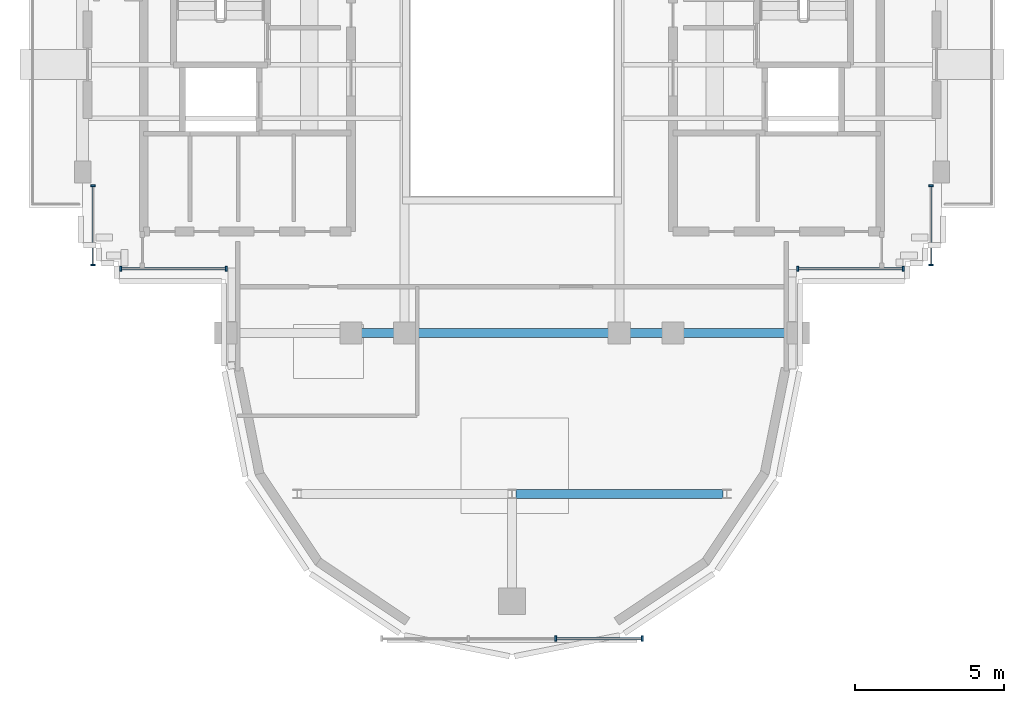
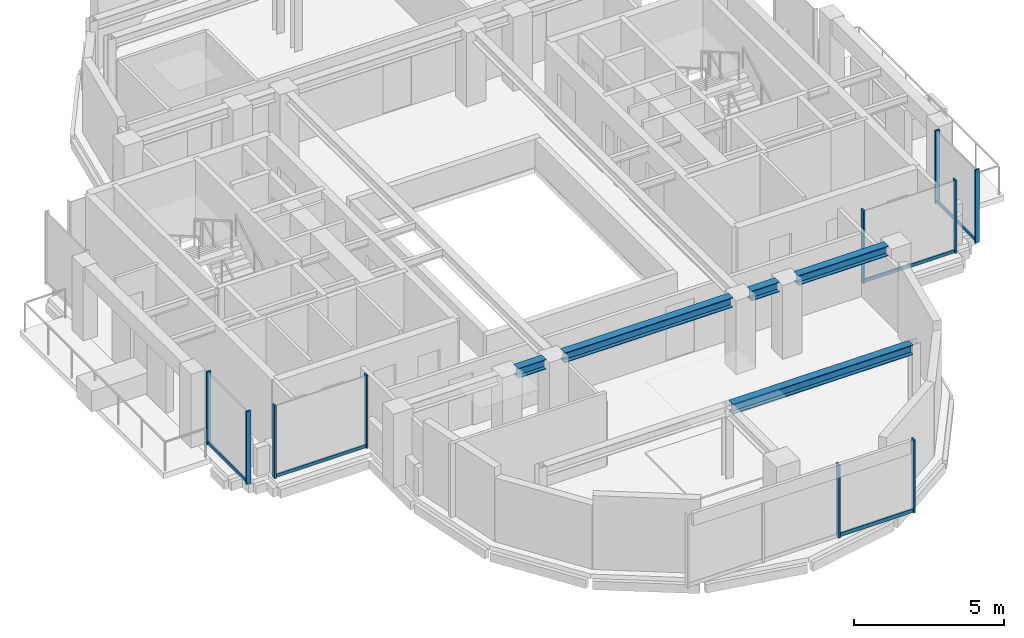
# One storey, part 3 of 12: 15 members, 5 beams, 5 elements without a shape of their own.
"""IFC4 building model written with IfcOpenShell, lengths in metres."""

from ifc_helpers import new_model, si_unit, direction, frame, origin, origin_2d, place, context, subcontext, project, spatial, rectangle, i_section, extrude, source, transform, mapped, material, material_profile, profile_set, type_object, element, aggregate, save


model = new_model("IFC4")

# Units and contexts
model_context = context("Model", 3, precision=1e-05, world=origin(), true_north=direction((0.0, 1.0)))
body_context = subcontext(model_context, "Body", "Model", "MODEL_VIEW")
ifc_project = project(units=[si_unit("LENGTHUNIT", "METRE"), si_unit("AREAUNIT", "SQUARE_METRE"), si_unit("VOLUMEUNIT", "CUBIC_METRE"), si_unit("PLANEANGLEUNIT", "RADIAN"), si_unit("MASSUNIT", "GRAM", prefix="KILO")], contexts=[model_context])

# Site, building, storey
site_placement = place(None, origin())
site = spatial("IfcSite", under=ifc_project, at=site_placement, CompositionType="ELEMENT")
building_placement = place(site_placement, origin())
building = spatial("IfcBuilding", under=site, at=building_placement, Name="Keilestroom Media Tower", CompositionType="ELEMENT")
storey_placement = place(building_placement, frame((0.0, 0.0, 258.800048828125)))
storey = spatial("IfcBuildingStorey", under=building, at=storey_placement, Name="L72", CompositionType="ELEMENT", Elevation=258.800048828125)

# Beams
ifc_material_1 = material(Name="Steel S355", Category="steel")
ifc_material_profile_1 = material_profile(ifc_material_1, i_section(OverallWidth=0.300048828125, OverallDepth=0.39990234375, WebThickness=0.011474609375, FlangeThickness=0.02392578125, at=origin_2d()), Name="HEB 400")
ifc_profile_set_1 = profile_set([ifc_material_profile_1], Name="Steel S355")
beam_type = type_object("IfcBeamType", Name="Primary-Structural-Girder-HEB-400", PredefinedType="BEAM", material=ifc_profile_set_1)
shared_shape_1 = source(origin(), body_context, "Body", "SweptSolid", [
    extrude(i_section(OverallWidth=0.300048828125, OverallDepth=0.39990234375, WebThickness=0.011474609375, FlangeThickness=0.02392578125, at=origin_2d()), origin(), (0.0, 0.0, 1.0), 6.940185546875),
])
beam_1_placement = place(storey_placement, frame((0.1298828125, -14.39990234375, 2.81005859375), z_axis=(1.0, 0.0, 0.0), x_axis=(0.0, 1.0, 0.0)))
element("IfcBeam", 1, at=beam_1_placement, inside=storey, type_object=beam_type, Name="L72 Beam BG-8 BM-L72-EW-002", PredefinedType="BEAM", context=body_context, shape_type="MappedRepresentation", body=[
    mapped(shared_shape_1, transform((0.0, 0.0, 0.0), x_axis=(1.0, 0.0, 0.0), y_axis=(0.0, 1.0, 0.0), z_axis=(0.0, 0.0, 1.0), scale=1.0)),
])
shared_shape_2 = source(origin(), body_context, "Body", "SweptSolid", [
    extrude(i_section(OverallWidth=0.300048828125, OverallDepth=0.39990234375, WebThickness=0.011474609375, FlangeThickness=0.02392578125, at=origin_2d()), origin(), (0.0, 0.0, 1.0), 3.490234375),
])
beam_2_placement = place(storey_placement, frame((5.7548828125, -9.0, 2.81005859375), z_axis=(1.0, 0.0, 0.0), x_axis=(0.0, 1.0, 0.0)))
element("IfcBeam", 2, at=beam_2_placement, inside=storey, type_object=beam_type, Name="L72 Beam BG-8 BM-L72-EW-007", PredefinedType="BEAM", context=body_context, shape_type="MappedRepresentation", body=[
    mapped(shared_shape_2, transform((0.0, 0.0, 0.0), x_axis=(1.0, 0.0, 0.0), y_axis=(0.0, 1.0, 0.0), z_axis=(0.0, 0.0, 1.0), scale=1.0)),
])
shared_shape_3 = source(origin(), body_context, "Body", "SweptSolid", [
    extrude(i_section(OverallWidth=0.300048828125, OverallDepth=0.39990234375, WebThickness=0.011474609375, FlangeThickness=0.02392578125, at=origin_2d()), origin(), (0.0, 0.0, 1.0), 1.08984375),
])
for number, where, z_axis, x_axis, name in (
    (3, (-5.044921875, -9.0, 2.81005859375), (1.0, 0.0, 0.0), (0.0, 1.0, 0.0), "L72 Beam BG-8 BM-L72-EW-004"),
    (4, (3.955078125, -9.0, 2.81005859375), (1.0, 0.0, 0.0), (0.0, 1.0, 0.0), "L72 Beam BG-8 BM-L72-EW-006"),
):
    element("IfcBeam", number, at=place(storey_placement, frame(where, z_axis=z_axis, x_axis=x_axis)), inside=storey, type_object=beam_type, Name=name, PredefinedType="BEAM", context=body_context, shape_type="MappedRepresentation", body=[
        mapped(shared_shape_3, transform((0.0, 0.0, 0.0), x_axis=(1.0, 0.0, 0.0), y_axis=(0.0, 1.0, 0.0), z_axis=(0.0, 0.0, 1.0), scale=1.0)),
    ])
shared_shape_4 = source(origin(), body_context, "Body", "SweptSolid", [
    extrude(i_section(OverallWidth=0.300048828125, OverallDepth=0.39990234375, WebThickness=0.011474609375, FlangeThickness=0.02392578125, at=origin_2d()), origin(), (0.0, 0.0, 1.0), 6.490234375),
])
beam_3_placement = place(storey_placement, frame((-3.2451171875, -9.0, 2.81005859375), z_axis=(1.0, 0.0, 0.0), x_axis=(0.0, 1.0, 0.0)))
element("IfcBeam", 5, at=beam_3_placement, inside=storey, type_object=beam_type, Name="L72 Beam BG-8 BM-L72-EW-005", PredefinedType="BEAM", context=body_context, shape_type="MappedRepresentation", body=[
    mapped(shared_shape_4, transform((0.0, 0.0, 0.0), x_axis=(1.0, 0.0, 0.0), y_axis=(0.0, 1.0, 0.0), z_axis=(0.0, 0.0, 1.0), scale=1.0)),
])

# Curtain wall, members
ifc_material_2 = material(Name="Anodised Aluminium Alloy", Category="aluminium")
curtain_wall_type_1 = type_object("IfcCurtainWallType", Name="Unitised-Curtain-Wall-CW-6", PredefinedType="NOTDEFINED", material=ifc_material_2)
curtain_wall_1_placement = place(storey_placement, origin())
curtain_wall_1 = element("IfcCurtainWall", 6, at=curtain_wall_1_placement, inside=storey, type_object=curtain_wall_type_1, Name="L72 Curtain Wall CW-6 CW-L72-LS-1", PredefinedType="NOTDEFINED")
ifc_material_profile_2 = material_profile(ifc_material_2, rectangle(XDim=0.06494140625, YDim=0.179931640625, at=origin_2d()), Name="ALU MULLION 65x180")
ifc_profile_set_2 = profile_set([ifc_material_profile_2], Name="Anodised Aluminium Alloy")
member_type_1 = type_object("IfcMemberType", Name="Curtain-Wall-Mullion-CW-6", PredefinedType="MULLION", material=ifc_profile_set_2)
shared_shape_5 = source(origin(), body_context, "Body", "SweptSolid", [
    extrude(rectangle(XDim=0.06494140625, YDim=0.179931640625, at=origin_2d()), origin(), (0.0, 0.0, 1.0), 2.97998046875),
])
member_1_placement = place(storey_placement, frame((1.466796875, -19.25, 0.0), z_axis=(0.0, 0.0, 1.0), x_axis=(1.0, 0.0, 0.0)))
member_1 = element("IfcMember", 7, at=member_1_placement, type_object=member_type_1, Name="CW-6 Mullion 02", PredefinedType="MULLION", context=body_context, shape_type="MappedRepresentation", body=[
    mapped(shared_shape_5, transform((0.0, 0.0, 0.0), x_axis=(1.0, 0.0, 0.0), y_axis=(0.0, 1.0, 0.0), z_axis=(0.0, 0.0, 1.0), scale=1.0)),
])
member_2_placement = place(storey_placement, frame((4.367431640625, -19.25, 0.0), z_axis=(0.0, 0.0, 1.0), x_axis=(1.0, 0.0, 0.0)))
member_2 = element("IfcMember", 8, at=member_2_placement, type_object=member_type_1, Name="CW-6 Mullion 03", PredefinedType="MULLION", context=body_context, shape_type="MappedRepresentation", body=[
    mapped(shared_shape_5, transform((0.0, 0.0, 0.0), x_axis=(1.0, 0.0, 0.0), y_axis=(0.0, 1.0, 0.0), z_axis=(0.0, 0.0, 1.0), scale=1.0)),
])
ifc_material_profile_3 = material_profile(ifc_material_2, rectangle(XDim=0.06494140625, YDim=0.14990234375, at=origin_2d()), Name="ALU TRANSOM 65x150")
ifc_profile_set_3 = profile_set([ifc_material_profile_3], Name="Anodised Aluminium Alloy")
member_type_2 = type_object("IfcMemberType", Name="Curtain-Wall-Transom-CW-6", PredefinedType="USERDEFINED", material=ifc_profile_set_3)
shared_shape_6 = source(origin(), body_context, "Body", "SweptSolid", [
    extrude(rectangle(XDim=0.06494140625, YDim=0.14990234375, at=origin_2d()), origin(), (0.0, 0.0, 1.0), 2.839599609375),
])
member_3_placement = place(storey_placement, frame((1.497314453125, -19.25, 0.074951171875), z_axis=(1.0, 0.0, 0.0), x_axis=(0.0, 1.0, 0.0)))
member_3 = element("IfcMember", 9, at=member_3_placement, type_object=member_type_2, Name="CW-6 Transom 02.1", ObjectType="TRANSOM", PredefinedType="USERDEFINED", context=body_context, shape_type="MappedRepresentation", body=[
    mapped(shared_shape_6, transform((0.0, 0.0, 0.0), x_axis=(1.0, 0.0, 0.0), y_axis=(0.0, 1.0, 0.0), z_axis=(0.0, 0.0, 1.0), scale=1.0)),
])
aggregate(curtain_wall_1, [member_1, member_2, member_3])

curtain_wall_type_2 = type_object("IfcCurtainWallType", Name="Unitised-Curtain-Wall-CW-4", PredefinedType="NOTDEFINED", material=ifc_material_2)
curtain_wall_2_placement = place(storey_placement, origin())
curtain_wall_2 = element("IfcCurtainWall", 10, at=curtain_wall_2_placement, inside=storey, type_object=curtain_wall_type_2, Name="L72 Curtain Wall CW-4 CW-L72-W-1", PredefinedType="NOTDEFINED")
ifc_material_profile_4 = material_profile(ifc_material_2, rectangle(XDim=0.06005859375, YDim=0.159912109375, at=origin_2d()), Name="ALU MULLION 60x160")
ifc_profile_set_4 = profile_set([ifc_material_profile_4], Name="Anodised Aluminium Alloy")
member_type_3 = type_object("IfcMemberType", Name="Curtain-Wall-Mullion-CW-4", PredefinedType="MULLION", material=ifc_profile_set_4)
shared_shape_7 = source(origin(), body_context, "Body", "SweptSolid", [
    extrude(rectangle(XDim=0.06005859375, YDim=0.159912109375, at=origin_2d()), origin(), (0.0, 0.0, 1.0), 2.97998046875),
])
member_4_placement = place(storey_placement, frame((-14.050048828125, -6.719970703125, 0.0), z_axis=(0.0, 0.0, 1.0), x_axis=(0.0, 1.0, 0.0)))
member_4 = element("IfcMember", 11, at=member_4_placement, type_object=member_type_3, Name="CW-4 Mullion 00", PredefinedType="MULLION", context=body_context, shape_type="MappedRepresentation", body=[
    mapped(shared_shape_7, transform((0.0, 0.0, 0.0), x_axis=(1.0, 0.0, 0.0), y_axis=(0.0, 1.0, 0.0), z_axis=(0.0, 0.0, 1.0), scale=1.0)),
])
member_5_placement = place(storey_placement, frame((-14.050048828125, -4.06494140625, 0.0), z_axis=(0.0, 0.0, 1.0), x_axis=(0.0, 1.0, 0.0)))
member_5 = element("IfcMember", 12, at=member_5_placement, type_object=member_type_3, Name="CW-4 Mullion 01", PredefinedType="MULLION", context=body_context, shape_type="MappedRepresentation", body=[
    mapped(shared_shape_7, transform((0.0, 0.0, 0.0), x_axis=(1.0, 0.0, 0.0), y_axis=(0.0, 1.0, 0.0), z_axis=(0.0, 0.0, 1.0), scale=1.0)),
])

curtain_wall_3_placement = place(storey_placement, origin())
curtain_wall_3 = element("IfcCurtainWall", 13, at=curtain_wall_3_placement, inside=storey, type_object=curtain_wall_type_2, Name="L72 Curtain Wall CW-4 CW-L72-E-1", PredefinedType="NOTDEFINED")
member_6_placement = place(storey_placement, frame((14.050048828125, -6.719970703125, 0.0), z_axis=(0.0, 0.0, 1.0), x_axis=(0.0, 1.0, 0.0)))
member_6 = element("IfcMember", 14, at=member_6_placement, type_object=member_type_3, Name="CW-4 Mullion 00", PredefinedType="MULLION", context=body_context, shape_type="MappedRepresentation", body=[
    mapped(shared_shape_7, transform((0.0, 0.0, 0.0), x_axis=(1.0, 0.0, 0.0), y_axis=(0.0, 1.0, 0.0), z_axis=(0.0, 0.0, 1.0), scale=1.0)),
])
member_7_placement = place(storey_placement, frame((14.050048828125, -4.06494140625, 0.0), z_axis=(0.0, 0.0, 1.0), x_axis=(0.0, 1.0, 0.0)))
member_7 = element("IfcMember", 15, at=member_7_placement, type_object=member_type_3, Name="CW-4 Mullion 01", PredefinedType="MULLION", context=body_context, shape_type="MappedRepresentation", body=[
    mapped(shared_shape_7, transform((0.0, 0.0, 0.0), x_axis=(1.0, 0.0, 0.0), y_axis=(0.0, 1.0, 0.0), z_axis=(0.0, 0.0, 1.0), scale=1.0)),
])

curtain_wall_4_placement = place(storey_placement, origin())
curtain_wall_4 = element("IfcCurtainWall", 16, at=curtain_wall_4_placement, inside=storey, type_object=curtain_wall_type_2, Name="L72 Curtain Wall CW-4 CW-L72-SW-1", PredefinedType="NOTDEFINED")
member_8_placement = place(storey_placement, frame((-13.1201171875, -6.85009765625, 0.0), z_axis=(0.0, 0.0, 1.0), x_axis=(1.0, 0.0, 0.0)))
member_8 = element("IfcMember", 17, at=member_8_placement, type_object=member_type_3, Name="CW-4 Mullion 00", PredefinedType="MULLION", context=body_context, shape_type="MappedRepresentation", body=[
    mapped(shared_shape_7, transform((0.0, 0.0, 0.0), x_axis=(1.0, 0.0, 0.0), y_axis=(0.0, 1.0, 0.0), z_axis=(0.0, 0.0, 1.0), scale=1.0)),
])
member_9_placement = place(storey_placement, frame((-9.580078125, -6.85009765625, 0.0), z_axis=(0.0, 0.0, 1.0), x_axis=(1.0, 0.0, 0.0)))
member_9 = element("IfcMember", 18, at=member_9_placement, type_object=member_type_3, Name="CW-4 Mullion 01", PredefinedType="MULLION", context=body_context, shape_type="MappedRepresentation", body=[
    mapped(shared_shape_7, transform((0.0, 0.0, 0.0), x_axis=(1.0, 0.0, 0.0), y_axis=(0.0, 1.0, 0.0), z_axis=(0.0, 0.0, 1.0), scale=1.0)),
])

curtain_wall_5_placement = place(storey_placement, origin())
curtain_wall_5 = element("IfcCurtainWall", 19, at=curtain_wall_5_placement, inside=storey, type_object=curtain_wall_type_2, Name="L72 Curtain Wall CW-4 CW-L72-SE-1", PredefinedType="NOTDEFINED")
member_10_placement = place(storey_placement, frame((9.580078125, -6.85009765625, 0.0), z_axis=(0.0, 0.0, 1.0), x_axis=(1.0, 0.0, 0.0)))
member_10 = element("IfcMember", 20, at=member_10_placement, type_object=member_type_3, Name="CW-4 Mullion 00", PredefinedType="MULLION", context=body_context, shape_type="MappedRepresentation", body=[
    mapped(shared_shape_7, transform((0.0, 0.0, 0.0), x_axis=(1.0, 0.0, 0.0), y_axis=(0.0, 1.0, 0.0), z_axis=(0.0, 0.0, 1.0), scale=1.0)),
])
member_11_placement = place(storey_placement, frame((13.1201171875, -6.85009765625, 0.0), z_axis=(0.0, 0.0, 1.0), x_axis=(1.0, 0.0, 0.0)))
member_11 = element("IfcMember", 21, at=member_11_placement, type_object=member_type_3, Name="CW-4 Mullion 01", PredefinedType="MULLION", context=body_context, shape_type="MappedRepresentation", body=[
    mapped(shared_shape_7, transform((0.0, 0.0, 0.0), x_axis=(1.0, 0.0, 0.0), y_axis=(0.0, 1.0, 0.0), z_axis=(0.0, 0.0, 1.0), scale=1.0)),
])

# Member
ifc_material_profile_5 = material_profile(ifc_material_2, rectangle(XDim=0.06005859375, YDim=0.1298828125, at=origin_2d()), Name="ALU TRANSOM 60x130")
ifc_profile_set_5 = profile_set([ifc_material_profile_5], Name="Anodised Aluminium Alloy")
member_type_4 = type_object("IfcMemberType", Name="Curtain-Wall-Transom-CW-4", PredefinedType="USERDEFINED", material=ifc_profile_set_5)
shared_shape_8 = source(origin(), body_context, "Body", "SweptSolid", [
    extrude(rectangle(XDim=0.06005859375, YDim=0.1298828125, at=origin_2d()), origin(), (0.0, 0.0, 1.0), 2.598876953125),
])
member_12_placement = place(storey_placement, frame((-14.050048828125, -6.69189453125, 0.06494140625), z_axis=(0.0, 1.0, 0.0), x_axis=(-1.0, 0.0, 0.0)))
member_12 = element("IfcMember", 22, at=member_12_placement, type_object=member_type_4, Name="CW-4 Transom 00.1", ObjectType="TRANSOM", PredefinedType="USERDEFINED", context=body_context, shape_type="MappedRepresentation", body=[
    mapped(shared_shape_8, transform((0.0, 0.0, 0.0), x_axis=(1.0, 0.0, 0.0), y_axis=(0.0, 1.0, 0.0), z_axis=(0.0, 0.0, 1.0), scale=1.0)),
])

aggregate(curtain_wall_2, [member_4, member_5, member_12])

member_13_placement = place(storey_placement, frame((14.050048828125, -6.69189453125, 0.06494140625), z_axis=(0.0, 1.0, 0.0), x_axis=(-1.0, 0.0, 0.0)))
member_13 = element("IfcMember", 23, at=member_13_placement, type_object=member_type_4, Name="CW-4 Transom 00.1", ObjectType="TRANSOM", PredefinedType="USERDEFINED", context=body_context, shape_type="MappedRepresentation", body=[
    mapped(shared_shape_8, transform((0.0, 0.0, 0.0), x_axis=(1.0, 0.0, 0.0), y_axis=(0.0, 1.0, 0.0), z_axis=(0.0, 0.0, 1.0), scale=1.0)),
])

aggregate(curtain_wall_3, [member_6, member_7, member_13])

shared_shape_9 = source(origin(), body_context, "Body", "SweptSolid", [
    extrude(rectangle(XDim=0.06005859375, YDim=0.1298828125, at=origin_2d()), origin(), (0.0, 0.0, 1.0), 3.484130859375),
])
member_14_placement = place(storey_placement, frame((-13.092041015625, -6.85009765625, 0.06494140625), z_axis=(1.0, 0.0, 0.0), x_axis=(0.0, 1.0, 0.0)))
member_14 = element("IfcMember", 24, at=member_14_placement, type_object=member_type_4, Name="CW-4 Transom 00.1", ObjectType="TRANSOM", PredefinedType="USERDEFINED", context=body_context, shape_type="MappedRepresentation", body=[
    mapped(shared_shape_9, transform((0.0, 0.0, 0.0), x_axis=(1.0, 0.0, 0.0), y_axis=(0.0, 1.0, 0.0), z_axis=(0.0, 0.0, 1.0), scale=1.0)),
])

aggregate(curtain_wall_4, [member_8, member_9, member_14])

member_15_placement = place(storey_placement, frame((9.60791015625, -6.85009765625, 0.06494140625), z_axis=(1.0, 0.0, 0.0), x_axis=(0.0, 1.0, 0.0)))
member_15 = element("IfcMember", 25, at=member_15_placement, type_object=member_type_4, Name="CW-4 Transom 00.1", ObjectType="TRANSOM", PredefinedType="USERDEFINED", context=body_context, shape_type="MappedRepresentation", body=[
    mapped(shared_shape_9, transform((0.0, 0.0, 0.0), x_axis=(1.0, 0.0, 0.0), y_axis=(0.0, 1.0, 0.0), z_axis=(0.0, 0.0, 1.0), scale=1.0)),
])

aggregate(curtain_wall_5, [member_10, member_11, member_15])

save(model, "model.ifc")
